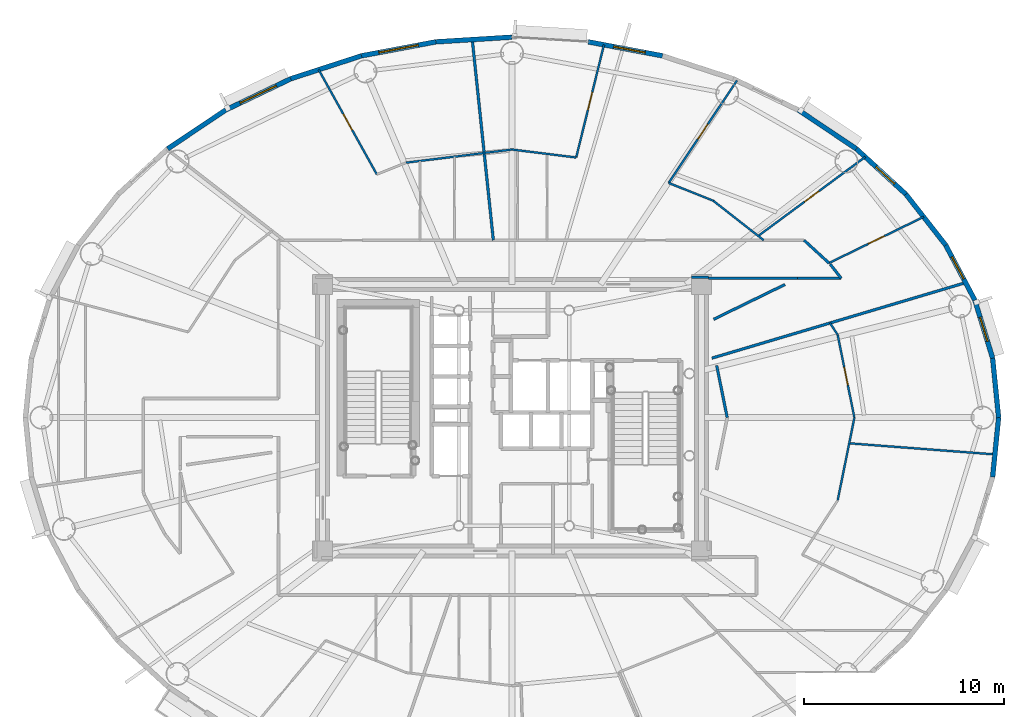
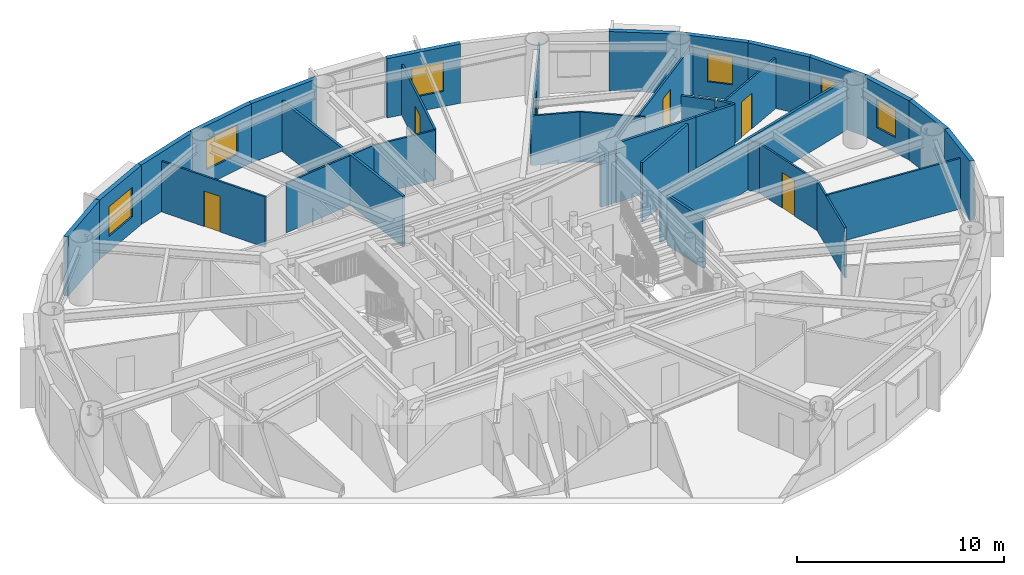
# One storey, part 11 of 19: 35 walls, 6 doors, 6 windows, 12 openings.
"""IFC4 building model written with IfcOpenShell, lengths in metres."""

from ifc_helpers import new_model, si_unit, direction, frame, frame_2d, origin, origin_2d, place, context, subcontext, project, spatial, rectangle, extrude, source, transform, mapped, material, layer, layer_set, type_object, element, fill, save


model = new_model("IFC4")

# Units and contexts
model_context = context("Model", 3, precision=1e-05, world=origin(), true_north=direction((0.0, 1.0)))
body_context = subcontext(model_context, "Body", "Model", "MODEL_VIEW")
ifc_project = project(units=[si_unit("LENGTHUNIT", "METRE"), si_unit("AREAUNIT", "SQUARE_METRE"), si_unit("VOLUMEUNIT", "CUBIC_METRE"), si_unit("PLANEANGLEUNIT", "RADIAN"), si_unit("MASSUNIT", "GRAM", prefix="KILO")], contexts=[model_context])

# Site, building, storey
site_placement = place(None, origin())
site = spatial("IfcSite", under=ifc_project, at=site_placement, CompositionType="ELEMENT")
building_placement = place(site_placement, origin())
building = spatial("IfcBuilding", under=site, at=building_placement, Name="Linh Dai School and Residence Tower", CompositionType="ELEMENT")
storey_placement = place(building_placement, frame((0.0, 0.0, 236.550048828125)))
storey = spatial("IfcBuildingStorey", under=building, at=storey_placement, Name="L58", CompositionType="ELEMENT", Elevation=236.550048828125)

# Wall
ifc_material_1 = material(Name="Precast Concrete B45 (C35/45)", Category="concrete")
ifc_layer_1 = layer(ifc_material_1, 0.239990234375)
ifc_layer_set_1 = layer_set([ifc_layer_1], Name="Precast Concrete B45 (C35/45)")
wall_type_1 = type_object("IfcWallType", Name="EW-TC-240", PredefinedType="SOLIDWALL", material=ifc_layer_set_1)
wall_1_placement = place(storey_placement, frame((59.97705078125, 29.9638671875, 0.0), z_axis=(0.0, 0.0, 1.0), x_axis=(0.099990595253, -0.994988382274, 0.0)))
element("IfcWall", 1, at=wall_1_placement, inside=storey, type_object=wall_type_1, Name="L58 Terracotta Exterior Wall 01", PredefinedType="SOLIDWALL", context=body_context, shape_type="SweptSolid", body=[
    extrude(rectangle(XDim=2.978759765625, YDim=0.239990234375, at=frame_2d((1.4892578125, 0.0))), origin(), (0.0, 0.0, 1.0), 3.5),
])

# Wall, opening, window
wall_2_placement = place(storey_placement, frame((59.09033203125, 32.85595703125, 0.0), z_axis=(0.0, 0.0, 1.0), x_axis=(0.293132907334, -0.95607170162, 0.0)))
wall_2 = element("IfcWall", 2, at=wall_2_placement, inside=storey, type_object=wall_type_1, Name="L58 Terracotta Exterior Wall 02", PredefinedType="SOLIDWALL", context=body_context, shape_type="SweptSolid", body=[
    extrude(rectangle(XDim=3.02490234375, YDim=0.239990234375, at=frame_2d((1.512451171875, 0.0))), origin(), (0.0, 0.0, 1.0), 3.5),
])
opening_1_placement = place(wall_2_placement, frame((0.887451171875, 0.0, 0.89990234375)))
opening_1 = element("IfcOpeningElement", 3, at=opening_1_placement, cuts=wall_2, Name="Opening W3", PredefinedType="OPENING", context=body_context, shape_type="SweptSolid", body=[
    extrude(rectangle(XDim=1.25, YDim=1.64990234375, at=origin_2d()), frame((0.625, 0.1298828125, 0.824951171875), z_axis=(0.0, -1.0, 0.0), x_axis=(1.0, 0.0, 0.0)), (0.0, 0.0, 1.0), 0.260009765625),
])
ifc_material_2 = material(Name="Double Low-E Insulated Glazing", Category="glass")
window_type_1 = type_object("IfcWindowType", Name="WN-RES-1250x1650", PartitioningType="SINGLE_PANEL", PredefinedType="WINDOW", material=ifc_material_2)
shared_shape_1 = source(origin(), body_context, "Body", "SweptSolid", [
    extrude(rectangle(XDim=1.25, YDim=1.64990234375, at=origin_2d()), frame((0.625, 0.030029296875, 0.824951171875), z_axis=(0.0, -1.0, 0.0), x_axis=(1.0, 0.0, 0.0)), (0.0, 0.0, 1.0), 0.06005859375),
])
window_1_placement = place(opening_1_placement, origin())
window_1 = element("IfcWindow", 4, at=window_1_placement, inside=storey, type_object=window_type_1, Name="L58 Dwelling Window U5805-BD2", OverallHeight=1.64990234375, OverallWidth=1.25, PartitioningType="SINGLE_PANEL", PredefinedType="WINDOW", context=body_context, shape_type="MappedRepresentation", body=[
    mapped(shared_shape_1, transform((0.0, 0.0, 0.0), x_axis=(1.0, 0.0, 0.0), y_axis=(0.0, 1.0, 0.0), z_axis=(0.0, 0.0, 1.0), scale=1.0)),
])
fill(opening_1, window_1)

wall_3_placement = place(storey_placement, frame((57.6357421875, 35.605224609375, 0.0), z_axis=(0.0, 0.0, 1.0), x_axis=(0.46766049993, -0.883908172157, 0.0)))
wall_3 = element("IfcWall", 5, at=wall_3_placement, inside=storey, type_object=wall_type_1, Name="L58 Terracotta Exterior Wall 03", PredefinedType="SOLIDWALL", context=body_context, shape_type="SweptSolid", body=[
    extrude(rectangle(XDim=3.1103515625, YDim=0.239990234375, at=frame_2d((1.55517578125, 0.0))), origin(), (0.0, 0.0, 1.0), 3.5),
])
opening_2_placement = place(wall_3_placement, frame((0.663818359375, 0.0, 0.89990234375)))
opening_2 = element("IfcOpeningElement", 6, at=opening_2_placement, cuts=wall_3, Name="Opening W3", PredefinedType="OPENING", context=body_context, shape_type="SweptSolid", body=[
    extrude(rectangle(XDim=1.25, YDim=1.64990234375, at=origin_2d()), frame((0.625, 0.1298828125, 0.824951171875), z_axis=(0.0, -1.0, 0.0), x_axis=(1.0, 0.0, 0.0)), (0.0, 0.0, 1.0), 0.260009765625),
])
window_2_placement = place(opening_2_placement, origin())
window_2 = element("IfcWindow", 7, at=window_2_placement, inside=storey, type_object=window_type_1, Name="L58 Dwelling Window U5806-BD1", OverallHeight=1.64990234375, OverallWidth=1.25, PartitioningType="SINGLE_PANEL", PredefinedType="WINDOW", context=body_context, shape_type="MappedRepresentation", body=[
    mapped(shared_shape_1, transform((0.0, 0.0, 0.0), x_axis=(1.0, 0.0, 0.0), y_axis=(0.0, 1.0, 0.0), z_axis=(0.0, 0.0, 1.0), scale=1.0)),
])
fill(opening_2, window_2)

# Wall
wall_4_placement = place(storey_placement, frame((55.6484375, 38.14453125, 0.0), z_axis=(0.0, 0.0, 1.0), x_axis=(0.616312344705, -0.787501805562, 0.0)))
element("IfcWall", 8, at=wall_4_placement, inside=storey, type_object=wall_type_1, Name="L58 Terracotta Exterior Wall 04", PredefinedType="SOLIDWALL", context=body_context, shape_type="SweptSolid", body=[
    extrude(rectangle(XDim=3.224609375, YDim=0.239990234375, at=frame_2d((1.6123046875, 0.0))), origin(), (0.0, 0.0, 1.0), 3.5),
])

# Wall, opening, window
wall_5_placement = place(storey_placement, frame((53.17626953125, 40.410888671875, 0.0), z_axis=(0.0, 0.0, 1.0), x_axis=(0.737123922599, -0.675757591694, 0.0)))
wall_5 = element("IfcWall", 9, at=wall_5_placement, inside=storey, type_object=wall_type_1, Name="L58 Terracotta Exterior Wall 05", PredefinedType="SOLIDWALL", context=body_context, shape_type="SweptSolid", body=[
    extrude(rectangle(XDim=3.353759765625, YDim=0.239990234375, at=frame_2d((1.6767578125, 0.0))), origin(), (0.0, 0.0, 1.0), 3.5),
])
opening_3_placement = place(wall_5_placement, frame((1.3359375, 0.0, 0.89990234375)))
opening_3 = element("IfcOpeningElement", 10, at=opening_3_placement, cuts=wall_5, Name="Opening W3", PredefinedType="OPENING", context=body_context, shape_type="SweptSolid", body=[
    extrude(rectangle(XDim=1.25, YDim=1.64990234375, at=origin_2d()), frame((0.625, 0.1298828125, 0.824951171875), z_axis=(0.0, -1.0, 0.0), x_axis=(1.0, 0.0, 0.0)), (0.0, 0.0, 1.0), 0.260009765625),
])
window_3_placement = place(opening_3_placement, origin())
window_3 = element("IfcWindow", 11, at=window_3_placement, inside=storey, type_object=window_type_1, Name="L58 Exterior Window 05.1", OverallHeight=1.64990234375, OverallWidth=1.25, PartitioningType="SINGLE_PANEL", PredefinedType="WINDOW", context=body_context, shape_type="MappedRepresentation", body=[
    mapped(shared_shape_1, transform((0.0, 0.0, 0.0), x_axis=(1.0, 0.0, 0.0), y_axis=(0.0, 1.0, 0.0), z_axis=(0.0, 0.0, 1.0), scale=1.0)),
])
fill(opening_3, window_3)

# Wall
wall_6_placement = place(storey_placement, frame((50.280029296875, 42.34765625, 0.0), z_axis=(0.0, 0.0, 1.0), x_axis=(0.831262496074, -0.555880079352, 0.0)))
element("IfcWall", 12, at=wall_6_placement, inside=storey, type_object=wall_type_1, Name="L58 Terracotta Exterior Wall 06", PredefinedType="SOLIDWALL", context=body_context, shape_type="SweptSolid", body=[
    extrude(rectangle(XDim=3.484130859375, YDim=0.239990234375, at=frame_2d((1.7421875, 0.0))), origin(), (0.0, 0.0, 1.0), 3.5),
])

# Wall, opening, window
wall_7_placement = place(storey_placement, frame((39.801513671875, 45.745849609375, 0.0), z_axis=(0.0, 0.0, 1.0), x_axis=(0.982784898575, -0.184753465822, 0.0)))
wall_7 = element("IfcWall", 13, at=wall_7_placement, inside=storey, type_object=wall_type_1, Name="L58 Terracotta Exterior Wall 09", PredefinedType="SOLIDWALL", context=body_context, shape_type="SweptSolid", body=[
    extrude(rectangle(XDim=3.772705078125, YDim=0.239990234375, at=frame_2d((1.88623046875, 0.0))), origin(), (0.0, 0.0, 1.0), 3.5),
])
opening_4_placement = place(wall_7_placement, frame((1.288818359375, 0.0, 0.89990234375)))
opening_4 = element("IfcOpeningElement", 14, at=opening_4_placement, cuts=wall_7, Name="Opening W2", PredefinedType="OPENING", context=body_context, shape_type="SweptSolid", body=[
    extrude(rectangle(XDim=1.60009765625, YDim=1.75, at=origin_2d()), frame((0.800048828125, 0.1298828125, 0.875), z_axis=(0.0, -1.0, 0.0), x_axis=(1.0, 0.0, 0.0)), (0.0, 0.0, 1.0), 0.260009765625),
])
window_type_2 = type_object("IfcWindowType", Name="WN-RES-1600x1750", PartitioningType="DOUBLE_PANEL_VERTICAL", PredefinedType="WINDOW", material=ifc_material_2)
shared_shape_2 = source(origin(), body_context, "Body", "SweptSolid", [
    extrude(rectangle(XDim=1.60009765625, YDim=1.75, at=origin_2d()), frame((0.800048828125, 0.030029296875, 0.875), z_axis=(0.0, -1.0, 0.0), x_axis=(1.0, 0.0, 0.0)), (0.0, 0.0, 1.0), 0.06005859375),
])
window_4_placement = place(opening_4_placement, origin())
window_4 = element("IfcWindow", 15, at=window_4_placement, inside=storey, type_object=window_type_2, Name="L58 Exterior Window 09.1", OverallHeight=1.75, OverallWidth=1.60009765625, PartitioningType="DOUBLE_PANEL_VERTICAL", PredefinedType="WINDOW", context=body_context, shape_type="MappedRepresentation", body=[
    mapped(shared_shape_2, transform((0.0, 0.0, 0.0), x_axis=(1.0, 0.0, 0.0), y_axis=(0.0, 1.0, 0.0), z_axis=(0.0, 0.0, 1.0), scale=1.0)),
])
fill(opening_4, window_4)

# Wall
wall_8_placement = place(storey_placement, frame((32.198486328125, 45.745849609375, 0.0), z_axis=(0.0, 0.0, 1.0), x_axis=(0.998108785312, 0.06147237333, 0.0)))
element("IfcWall", 16, at=wall_8_placement, inside=storey, type_object=wall_type_1, Name="L58 Terracotta Exterior Wall 11", PredefinedType="SOLIDWALL", context=body_context, shape_type="SweptSolid", body=[
    extrude(rectangle(XDim=3.808837890625, YDim=0.239990234375, at=frame_2d((1.904296875, 0.0))), origin(), (0.0, 0.0, 1.0), 3.5),
])

# Wall, opening, window
wall_9_placement = place(storey_placement, frame((28.49072265625, 45.048828125, 0.0), z_axis=(0.0, 0.0, 1.0), x_axis=(0.982784898575, 0.184753465822, 0.0)))
wall_9 = element("IfcWall", 17, at=wall_9_placement, inside=storey, type_object=wall_type_1, Name="L58 Terracotta Exterior Wall 12", PredefinedType="SOLIDWALL", context=body_context, shape_type="SweptSolid", body=[
    extrude(rectangle(XDim=3.772705078125, YDim=0.239990234375, at=frame_2d((1.88623046875, 0.0))), origin(), (0.0, 0.0, 1.0), 3.5),
])
opening_5_placement = place(wall_9_placement, frame((0.88623046875, 0.0, 0.89990234375)))
opening_5 = element("IfcOpeningElement", 18, at=opening_5_placement, cuts=wall_9, Name="Opening W1", PredefinedType="OPENING", context=body_context, shape_type="SweptSolid", body=[
    extrude(rectangle(XDim=2.0, YDim=1.75, at=origin_2d()), frame((1.0, 0.1298828125, 0.875), z_axis=(0.0, -1.0, 0.0), x_axis=(1.0, 0.0, 0.0)), (0.0, 0.0, 1.0), 0.260009765625),
])
window_type_3 = type_object("IfcWindowType", Name="WN-RES-2000x1750", PartitioningType="DOUBLE_PANEL_VERTICAL", PredefinedType="WINDOW", material=ifc_material_2)
shared_shape_3 = source(origin(), body_context, "Body", "SweptSolid", [
    extrude(rectangle(XDim=2.0, YDim=1.75, at=origin_2d()), frame((1.0, 0.030029296875, 0.875), z_axis=(0.0, -1.0, 0.0), x_axis=(1.0, 0.0, 0.0)), (0.0, 0.0, 1.0), 0.06005859375),
])
window_5_placement = place(opening_5_placement, origin())
window_5 = element("IfcWindow", 19, at=window_5_placement, inside=storey, type_object=window_type_3, Name="L58 Exterior Window 12.1", OverallHeight=1.75, OverallWidth=2.0, PartitioningType="DOUBLE_PANEL_VERTICAL", PredefinedType="WINDOW", context=body_context, shape_type="MappedRepresentation", body=[
    mapped(shared_shape_3, transform((0.0, 0.0, 0.0), x_axis=(1.0, 0.0, 0.0), y_axis=(0.0, 1.0, 0.0), z_axis=(0.0, 0.0, 1.0), scale=1.0)),
])
fill(opening_5, window_5)

# Wall
wall_10_placement = place(storey_placement, frame((24.968994140625, 43.906494140625, 0.0), z_axis=(0.0, 0.0, 1.0), x_axis=(0.951210789182, 0.308541787354, 0.0)))
element("IfcWall", 20, at=wall_10_placement, inside=storey, type_object=wall_type_1, Name="L58 Terracotta Exterior Wall 13", PredefinedType="SOLIDWALL", context=body_context, shape_type="SweptSolid", body=[
    extrude(rectangle(XDim=3.702392578125, YDim=0.239990234375, at=frame_2d((1.85107421875, 0.0))), origin(), (0.0, 0.0, 1.0), 3.5),
])

# Wall, opening, window
wall_11_placement = place(storey_placement, frame((21.719970703125, 42.34765625, 0.0), z_axis=(0.0, 0.0, 1.0), x_axis=(0.901598104751, 0.432574684313, 0.0)))
wall_11 = element("IfcWall", 21, at=wall_11_placement, inside=storey, type_object=wall_type_1, Name="L58 Terracotta Exterior Wall 14", PredefinedType="SOLIDWALL", context=body_context, shape_type="SweptSolid", body=[
    extrude(rectangle(XDim=3.603515625, YDim=0.239990234375, at=frame_2d((1.8017578125, 0.0))), origin(), (0.0, 0.0, 1.0), 3.5),
])
opening_6_placement = place(wall_11_placement, frame((0.802001953125, 0.0, 0.89990234375)))
opening_6 = element("IfcOpeningElement", 22, at=opening_6_placement, cuts=wall_11, Name="Opening W1", PredefinedType="OPENING", context=body_context, shape_type="SweptSolid", body=[
    extrude(rectangle(XDim=2.0, YDim=1.75, at=origin_2d()), frame((1.0, 0.1298828125, 0.875), z_axis=(0.0, -1.0, 0.0), x_axis=(1.0, 0.0, 0.0)), (0.0, 0.0, 1.0), 0.260009765625),
])
window_6_placement = place(opening_6_placement, origin())
window_6 = element("IfcWindow", 23, at=window_6_placement, inside=storey, type_object=window_type_3, Name="L58 Exterior Window 14.1", OverallHeight=1.75, OverallWidth=2.0, PartitioningType="DOUBLE_PANEL_VERTICAL", PredefinedType="WINDOW", context=body_context, shape_type="MappedRepresentation", body=[
    mapped(shared_shape_3, transform((0.0, 0.0, 0.0), x_axis=(1.0, 0.0, 0.0), y_axis=(0.0, 1.0, 0.0), z_axis=(0.0, 0.0, 1.0), scale=1.0)),
])
fill(opening_6, window_6)

# Walls
wall_12_placement = place(storey_placement, frame((18.82373046875, 40.410888671875, 0.0), z_axis=(0.0, 0.0, 1.0), x_axis=(0.831262496074, 0.555880079352, 0.0)))
element("IfcWall", 24, at=wall_12_placement, inside=storey, type_object=wall_type_1, Name="L58 Terracotta Exterior Wall 15", PredefinedType="SOLIDWALL", context=body_context, shape_type="SweptSolid", body=[
    extrude(rectangle(XDim=3.484130859375, YDim=0.239990234375, at=frame_2d((1.7421875, 0.0))), origin(), (0.0, 0.0, 1.0), 3.5),
])
wall_13_placement = place(storey_placement, frame((60.27490234375, 27.0, 0.0), z_axis=(0.0, 0.0, 1.0), x_axis=(-0.099990595253, -0.994988382274, 0.0)))
element("IfcWall", 25, at=wall_13_placement, inside=storey, type_object=wall_type_1, Name="L58 Terracotta Exterior Wall 40", PredefinedType="SOLIDWALL", context=body_context, shape_type="SweptSolid", body=[
    extrude(rectangle(XDim=2.978759765625, YDim=0.239990234375, at=frame_2d((1.4892578125, 0.0))), origin(), (0.0, 0.0, 1.0), 3.5),
])
ifc_material_3 = material(Name="Autoclaved Aerated Concrete Blockwork", Category="masonry")
ifc_layer_2 = layer(ifc_material_3, 0.135009765625)
ifc_layer_set_2 = layer_set([ifc_layer_2], Name="Autoclaved Aerated Concrete Blockwork")
wall_type_2 = type_object("IfcWallType", Name="IW-CORR-135-EI90", PredefinedType="PARTITIONING", material=ifc_layer_set_2)
wall_14_placement = place(storey_placement, frame((34.017333984375, 45.86279296875, 0.0), z_axis=(0.0, 0.0, 1.0), x_axis=(0.104537097471, -0.994520987839, 0.0)))
element("IfcWall", 26, at=wall_14_placement, inside=storey, type_object=wall_type_2, Name="L58 Interior Partition Wall 044", PredefinedType="PARTITIONING", context=body_context, shape_type="SweptSolid", body=[
    extrude(rectangle(XDim=10.068115234375, YDim=0.135009765625, at=frame_2d((5.0341796875, 0.0))), origin(), (0.0, 0.0, 1.0), 2.98486328125),
])
wall_15_placement = place(storey_placement, frame((45.970458984375, 29.966552734375, 0.0), z_axis=(0.0, 0.0, 1.0), x_axis=(0.958474934199, 0.285176788174, 0.0)))
element("IfcWall", 27, at=wall_15_placement, inside=storey, type_object=wall_type_2, Name="L58 Interior Partition Wall 083", PredefinedType="PARTITIONING", context=body_context, shape_type="SweptSolid", body=[
    extrude(rectangle(XDim=13.209716796875, YDim=0.135009765625, at=frame_2d((6.60498046875, 0.0))), origin(), (0.0, 0.0, 1.0), 2.98486328125),
])
wall_16_placement = place(storey_placement, frame((50.25146484375, 33.949951171875, 0.0), z_axis=(0.0, 0.0, 1.0), x_axis=(1.0, 0.0, 0.0)))
element("IfcWall", 28, at=wall_16_placement, inside=storey, type_object=wall_type_2, Name="L58 Interior Partition Wall 091", PredefinedType="PARTITIONING", context=body_context, shape_type="SweptSolid", body=[
    extrude(rectangle(XDim=2.17236328125, YDim=0.135009765625, at=frame_2d((1.086181640625, 0.0))), origin(), (0.0, 0.0, 1.0), 3.5),
])
wall_17_placement = place(storey_placement, frame((50.56787109375, 35.85009765625, 0.0), z_axis=(0.0, 0.0, 1.0), x_axis=(0.737130103714, -0.675750849202, 0.0)))
element("IfcWall", 29, at=wall_17_placement, inside=storey, type_object=wall_type_2, Name="L58 Interior Partition Wall 094", PredefinedType="PARTITIONING", context=body_context, shape_type="SweptSolid", body=[
    extrude(rectangle(XDim=1.6865234375, YDim=0.135009765625, at=frame_2d((0.84326171875, 0.0))), origin(), (0.0, 0.0, 1.0), 3.5),
])
wall_18_placement = place(storey_placement, frame((51.873779296875, 34.65283203125, 0.0), z_axis=(0.0, 0.0, 1.0), x_axis=(0.61628613448, -0.787522317429, 0.0)))
element("IfcWall", 30, at=wall_18_placement, inside=storey, type_object=wall_type_2, Name="L58 Interior Partition Wall 097", PredefinedType="PARTITIONING", context=body_context, shape_type="SweptSolid", body=[
    extrude(rectangle(XDim=0.892578125, YDim=0.135009765625, at=frame_2d((0.4462890625, 0.0))), origin(), (0.0, 0.0, 1.0), 3.5),
])
wall_19_placement = place(storey_placement, frame((50.241455078125, 33.949951171875, 0.0), z_axis=(0.0, 0.0, 1.0), x_axis=(-1.0, 0.0, 0.0)))
element("IfcWall", 31, at=wall_19_placement, inside=storey, type_object=wall_type_2, Name="L58 Interior Partition Wall 108", PredefinedType="PARTITIONING", context=body_context, shape_type="SweptSolid", body=[
    extrude(rectangle(XDim=4.44140625, YDim=0.135009765625, at=frame_2d((2.220703125, 0.0))), origin(), (0.0, 0.0, 1.0), 3.5),
])
wall_20_placement = place(storey_placement, frame((45.7900390625, 34.0, 0.0), z_axis=(0.0, 0.0, 1.0), x_axis=(-1.0, 0.0, 0.0)))
element("IfcWall", 32, at=wall_20_placement, inside=storey, type_object=wall_type_2, Name="L58 Interior Partition Wall 109", PredefinedType="PARTITIONING", context=body_context, shape_type="SweptSolid", body=[
    extrude(rectangle(XDim=0.830078125, YDim=0.135009765625, at=frame_2d((0.4150390625, 0.0))), origin(), (0.0, 0.0, 1.0), 2.93505859375),
])
wall_21_placement = place(storey_placement, frame((46.736083984375, 27.0, 0.0), z_axis=(0.0, 0.0, 1.0), x_axis=(-0.198330009585, 0.980135300506, 0.0)))
element("IfcWall", 33, at=wall_21_placement, inside=storey, type_object=wall_type_2, Name="L58 Interior Partition Wall 120", PredefinedType="PARTITIONING", context=body_context, shape_type="SweptSolid", body=[
    extrude(rectangle(XDim=2.650390625, YDim=0.135009765625, at=frame_2d((1.3251953125, 0.0))), origin(), (0.0, 0.0, 1.0), 2.93505859375),
])
wall_22_placement = place(storey_placement, frame((46.06005859375, 31.906005859375, 0.0), z_axis=(0.0, 0.0, 1.0), x_axis=(0.898819963923, 0.438318003797, 0.0)))
element("IfcWall", 34, at=wall_22_placement, inside=storey, type_object=wall_type_2, Name="L58 Interior Partition Wall 121", PredefinedType="PARTITIONING", context=body_context, shape_type="SweptSolid", body=[
    extrude(rectangle(XDim=3.9619140625, YDim=0.135009765625, at=frame_2d((1.98095703125, 0.0))), origin(), (0.0, 0.0, 1.0), 3.5),
])

# Wall, opening, door
ifc_material_4 = material(Name="Gypsum Plasterboard Acoustic Stud Partition", Category="masonry")
ifc_layer_3 = layer(ifc_material_4, 0.10009765625)
ifc_layer_set_3 = layer_set([ifc_layer_3], Name="Gypsum Plasterboard Acoustic Stud Partition")
wall_type_3 = type_object("IfcWallType", Name="IW-UNIT-100", PredefinedType="PARTITIONING", material=ifc_layer_set_3)
wall_23_placement = place(storey_placement, frame((26.352783203125, 44.360595703125, 0.0), z_axis=(0.0, 0.0, 1.0), x_axis=(0.485760805935, -0.874091779745, 0.0)))
wall_23 = element("IfcWall", 35, at=wall_23_placement, inside=storey, type_object=wall_type_3, Name="L58 Interior Partition Wall 024", PredefinedType="PARTITIONING", context=body_context, shape_type="SweptSolid", body=[
    extrude(rectangle(XDim=5.978759765625, YDim=0.10009765625, at=frame_2d((2.9892578125, 0.0))), origin(), (0.0, 0.0, 1.0), 2.98486328125),
])
opening_7_placement = place(wall_23_placement, frame((2.539306640625, 0.0, 0.0)))
opening_7 = element("IfcOpeningElement", 36, at=opening_7_placement, cuts=wall_23, Name="Opening D05", PredefinedType="OPENING", context=body_context, shape_type="SweptSolid", body=[
    extrude(rectangle(XDim=0.89990234375, YDim=2.10009765625, at=origin_2d()), frame((0.449951171875, 0.06005859375, 1.050048828125), z_axis=(0.0, -1.0, 0.0), x_axis=(1.0, 0.0, 0.0)), (0.0, 0.0, 1.0), 0.1201171875),
])
ifc_material_5 = material(Name="Engineered Timber Internal Door", Category="wood")
door_type = type_object("IfcDoorType", Name="DR-INT-900x2100", OperationType="NOTDEFINED", PredefinedType="DOOR", material=ifc_material_5)
shared_shape_4 = source(origin(), body_context, "Body", "SweptSolid", [
    extrude(rectangle(XDim=0.89990234375, YDim=2.10009765625, at=origin_2d()), frame((0.449951171875, 0.02490234375, 1.050048828125), z_axis=(0.0, -1.0, 0.0), x_axis=(1.0, 0.0, 0.0)), (0.0, 0.0, 1.0), 0.050048828125),
])
door_1_placement = place(opening_7_placement, origin())
door_1 = element("IfcDoor", 37, at=door_1_placement, inside=storey, type_object=door_type, Name="L58 Apartment U5801 Bedroom 1 Door", OperationType="SINGLE_SWING_LEFT", OverallHeight=2.10009765625, OverallWidth=0.89990234375, PredefinedType="DOOR", context=body_context, shape_type="MappedRepresentation", body=[
    mapped(shared_shape_4, transform((0.0, 0.0, 0.0), x_axis=(1.0, 0.0, 0.0), y_axis=(0.0, 1.0, 0.0), z_axis=(0.0, 0.0, 1.0), scale=1.0)),
])
fill(opening_7, door_1)

# Walls
wall_24_placement = place(storey_placement, frame((30.721923828125, 39.718994140625, 0.0), z_axis=(0.0, 0.0, 1.0), x_axis=(0.992397473883, 0.123074180196, 0.0)))
element("IfcWall", 38, at=wall_24_placement, inside=storey, type_object=wall_type_3, Name="L58 Interior Partition Wall 031", PredefinedType="PARTITIONING", context=body_context, shape_type="SweptSolid", body=[
    extrude(rectangle(XDim=5.318359375, YDim=0.10009765625, at=frame_2d((2.6591796875, 0.0))), origin(), (0.0, 0.0, 1.0), 2.93505859375),
])
wall_25_placement = place(storey_placement, frame((36.0, 40.37353515625, 0.0), z_axis=(0.0, 0.0, 1.0), x_axis=(0.992398501838, -0.123065891091, 0.0)))
element("IfcWall", 39, at=wall_25_placement, inside=storey, type_object=wall_type_3, Name="L58 Interior Partition Wall 060", PredefinedType="PARTITIONING", context=body_context, shape_type="SweptSolid", body=[
    extrude(rectangle(XDim=3.2255859375, YDim=0.10009765625, at=frame_2d((1.61279296875, 0.0))), origin(), (0.0, 0.0, 1.0), 2.93505859375),
])

# Wall, opening, door
wall_26_placement = place(storey_placement, frame((39.201171875, 39.9765625, 0.0), z_axis=(0.0, 0.0, 1.0), x_axis=(0.239510975824, 0.970893656617, 0.0)))
wall_26 = element("IfcWall", 40, at=wall_26_placement, inside=storey, type_object=wall_type_3, Name="L58 Interior Partition Wall 069", PredefinedType="PARTITIONING", context=body_context, shape_type="SweptSolid", body=[
    extrude(rectangle(XDim=5.794921875, YDim=0.10009765625, at=frame_2d((2.8974609375, 0.0))), origin(), (0.0, 0.0, 1.0), 2.98486328125),
])
opening_8_placement = place(wall_26_placement, frame((2.447509765625, 0.0, 0.0)))
opening_8 = element("IfcOpeningElement", 41, at=opening_8_placement, cuts=wall_26, Name="Opening D05", PredefinedType="OPENING", context=body_context, shape_type="SweptSolid", body=[
    extrude(rectangle(XDim=0.89990234375, YDim=2.10009765625, at=origin_2d()), frame((0.449951171875, 0.06005859375, 1.050048828125), z_axis=(0.0, -1.0, 0.0), x_axis=(1.0, 0.0, 0.0)), (0.0, 0.0, 1.0), 0.1201171875),
])
door_2_placement = place(opening_8_placement, origin())
door_2 = element("IfcDoor", 42, at=door_2_placement, inside=storey, type_object=door_type, Name="L58 Apartment U5806 Bedroom 3 Door", OperationType="SINGLE_SWING_LEFT", OverallHeight=2.10009765625, OverallWidth=0.89990234375, PredefinedType="DOOR", context=body_context, shape_type="MappedRepresentation", body=[
    mapped(shared_shape_4, transform((0.0, 0.0, 0.0), x_axis=(1.0, 0.0, 0.0), y_axis=(0.0, 1.0, 0.0), z_axis=(0.0, 0.0, 1.0), scale=1.0)),
])
fill(opening_8, door_2)

# Wall
wall_27_placement = place(storey_placement, frame((43.8125, 38.707763671875, 0.0), z_axis=(0.0, 0.0, 1.0), x_axis=(0.928806399166, -0.370565342239, 0.0)))
element("IfcWall", 43, at=wall_27_placement, inside=storey, type_object=wall_type_3, Name="L58 Interior Partition Wall 078", PredefinedType="PARTITIONING", context=body_context, shape_type="SweptSolid", body=[
    extrude(rectangle(XDim=2.3974609375, YDim=0.10009765625, at=frame_2d((1.19873046875, 0.0))), origin(), (0.0, 0.0, 1.0), 2.93505859375),
])

# Wall, opening, door
wall_28_placement = place(storey_placement, frame((43.8125, 38.707763671875, 0.0), z_axis=(0.0, 0.0, 1.0), x_axis=(0.555094340213, 0.831787396793, 0.0)))
wall_28 = element("IfcWall", 44, at=wall_28_placement, inside=storey, type_object=wall_type_3, Name="L58 Interior Partition Wall 079", PredefinedType="PARTITIONING", context=body_context, shape_type="SweptSolid", body=[
    extrude(rectangle(XDim=6.1455078125, YDim=0.10009765625, at=frame_2d((3.07275390625, 0.0))), origin(), (0.0, 0.0, 1.0), 2.93505859375),
])
opening_9_placement = place(wall_28_placement, frame((2.622802734375, 0.0, 0.0)))
opening_9 = element("IfcOpeningElement", 45, at=opening_9_placement, cuts=wall_28, Name="Opening D05", PredefinedType="OPENING", context=body_context, shape_type="SweptSolid", body=[
    extrude(rectangle(XDim=0.89990234375, YDim=2.10009765625, at=origin_2d()), frame((0.449951171875, 0.06005859375, 1.050048828125), z_axis=(0.0, -1.0, 0.0), x_axis=(1.0, 0.0, 0.0)), (0.0, 0.0, 1.0), 0.1201171875),
])
door_3_placement = place(opening_9_placement, origin())
door_3 = element("IfcDoor", 46, at=door_3_placement, inside=storey, type_object=door_type, Name="L58 Apartment U5806 Principal Bedroom 2 Door", OperationType="SINGLE_SWING_RIGHT", OverallHeight=2.10009765625, OverallWidth=0.89990234375, PredefinedType="DOOR", context=body_context, shape_type="MappedRepresentation", body=[
    mapped(shared_shape_4, transform((0.0, 0.0, 0.0), x_axis=(1.0, 0.0, 0.0), y_axis=(0.0, 1.0, 0.0), z_axis=(0.0, 0.0, 1.0), scale=1.0)),
])
fill(opening_9, door_3)

# Wall
wall_29_placement = place(storey_placement, frame((46.039306640625, 37.8193359375, 0.0), z_axis=(0.0, 0.0, 1.0), x_axis=(0.787364681479, -0.616487516791, 0.0)))
element("IfcWall", 47, at=wall_29_placement, inside=storey, type_object=wall_type_3, Name="L58 Interior Partition Wall 085", PredefinedType="PARTITIONING", context=body_context, shape_type="SweptSolid", body=[
    extrude(rectangle(XDim=3.194580078125, YDim=0.10009765625, at=frame_2d((1.59716796875, 0.0))), origin(), (0.0, 0.0, 1.0), 2.93505859375),
])

# Wall, opening, door
wall_30_placement = place(storey_placement, frame((48.281494140625, 36.063720703125, 0.0), z_axis=(0.0, 0.0, 1.0), x_axis=(0.804612975085, 0.593799596097, 0.0)))
wall_30 = element("IfcWall", 48, at=wall_30_placement, inside=storey, type_object=wall_type_3, Name="L58 Interior Partition Wall 090", PredefinedType="PARTITIONING", context=body_context, shape_type="SweptSolid", body=[
    extrude(rectangle(XDim=6.640380859375, YDim=0.10009765625, at=frame_2d((3.3203125, 0.0))), origin(), (0.0, 0.0, 1.0), 2.98486328125),
])
opening_10_placement = place(wall_30_placement, frame((2.8701171875, 0.0, 0.0)))
opening_10 = element("IfcOpeningElement", 49, at=opening_10_placement, cuts=wall_30, Name="Opening D05", PredefinedType="OPENING", context=body_context, shape_type="SweptSolid", body=[
    extrude(rectangle(XDim=0.89990234375, YDim=2.10009765625, at=origin_2d()), frame((0.449951171875, 0.06005859375, 1.050048828125), z_axis=(0.0, -1.0, 0.0), x_axis=(1.0, 0.0, 0.0)), (0.0, 0.0, 1.0), 0.1201171875),
])
door_4_placement = place(opening_10_placement, origin())
door_4 = element("IfcDoor", 50, at=door_4_placement, inside=storey, type_object=door_type, Name="L58 Apartment U5806 Study Door", OperationType="SINGLE_SWING_LEFT", OverallHeight=2.10009765625, OverallWidth=0.89990234375, PredefinedType="DOOR", context=body_context, shape_type="MappedRepresentation", body=[
    mapped(shared_shape_4, transform((0.0, 0.0, 0.0), x_axis=(1.0, 0.0, 0.0), y_axis=(0.0, 1.0, 0.0), z_axis=(0.0, 0.0, 1.0), scale=1.0)),
])
fill(opening_10, door_4)

wall_31_placement = place(storey_placement, frame((51.81103515625, 34.71044921875, 0.0), z_axis=(0.0, 0.0, 1.0), x_axis=(0.89880279574, 0.438353207322, 0.0)))
wall_31 = element("IfcWall", 51, at=wall_31_placement, inside=storey, type_object=wall_type_3, Name="L58 Interior Partition Wall 095", PredefinedType="PARTITIONING", context=body_context, shape_type="SweptSolid", body=[
    extrude(rectangle(XDim=5.25927734375, YDim=0.10009765625, at=frame_2d((2.629638671875, 0.0))), origin(), (0.0, 0.0, 1.0), 2.98486328125),
])
opening_11_placement = place(wall_31_placement, frame((2.1796875, 0.0, 0.0)))
opening_11 = element("IfcOpeningElement", 52, at=opening_11_placement, cuts=wall_31, Name="Opening D05", PredefinedType="OPENING", context=body_context, shape_type="SweptSolid", body=[
    extrude(rectangle(XDim=0.89990234375, YDim=2.10009765625, at=origin_2d()), frame((0.449951171875, 0.06005859375, 1.050048828125), z_axis=(0.0, -1.0, 0.0), x_axis=(1.0, 0.0, 0.0)), (0.0, 0.0, 1.0), 0.1201171875),
])
door_5_placement = place(opening_11_placement, origin())
door_5 = element("IfcDoor", 53, at=door_5_placement, inside=storey, type_object=door_type, Name="L58 Apartment U5806 Principal Bedroom 1 Door", OperationType="SINGLE_SWING_LEFT", OverallHeight=2.10009765625, OverallWidth=0.89990234375, PredefinedType="DOOR", context=body_context, shape_type="MappedRepresentation", body=[
    mapped(shared_shape_4, transform((0.0, 0.0, 0.0), x_axis=(1.0, 0.0, 0.0), y_axis=(0.0, 1.0, 0.0), z_axis=(0.0, 0.0, 1.0), scale=1.0)),
])
fill(opening_11, door_5)

# Walls
wall_32_placement = place(storey_placement, frame((51.862060546875, 31.719482421875, 0.0), z_axis=(0.0, 0.0, 1.0), x_axis=(0.545576382868, -0.838061101863, 0.0)))
element("IfcWall", 54, at=wall_32_placement, inside=storey, type_object=wall_type_3, Name="L58 Interior Partition Wall 096", PredefinedType="PARTITIONING", context=body_context, shape_type="SweptSolid", body=[
    extrude(rectangle(XDim=0.700439453125, YDim=0.10009765625, at=frame_2d((0.35009765625, 0.0))), origin(), (0.0, 0.0, 1.0), 2.93505859375),
])
wall_33_placement = place(storey_placement, frame((52.244140625, 22.867431640625, 0.0), z_axis=(0.0, 0.0, 1.0), x_axis=(0.198276062883, 0.980146215056, 0.0)))
element("IfcWall", 55, at=wall_33_placement, inside=storey, type_object=wall_type_3, Name="L58 Interior Partition Wall 098", PredefinedType="PARTITIONING", context=body_context, shape_type="SweptSolid", body=[
    extrude(rectangle(XDim=4.216064453125, YDim=0.10009765625, at=frame_2d((2.10791015625, 0.0))), origin(), (0.0, 0.0, 1.0), 2.93505859375),
])

# Wall, opening, door
wall_34_placement = place(storey_placement, frame((52.244140625, 31.132568359375, 0.0), z_axis=(0.0, 0.0, 1.0), x_axis=(0.198264809747, -0.980148491411, 0.0)))
wall_34 = element("IfcWall", 56, at=wall_34_placement, inside=storey, type_object=wall_type_3, Name="L58 Interior Partition Wall 099", PredefinedType="PARTITIONING", context=body_context, shape_type="SweptSolid", body=[
    extrude(rectangle(XDim=4.21630859375, YDim=0.10009765625, at=frame_2d((2.108154296875, 0.0))), origin(), (0.0, 0.0, 1.0), 2.93505859375),
])
opening_12_placement = place(wall_34_placement, frame((1.658203125, 0.0, 0.0)))
opening_12 = element("IfcOpeningElement", 57, at=opening_12_placement, cuts=wall_34, Name="Opening D05", PredefinedType="OPENING", context=body_context, shape_type="SweptSolid", body=[
    extrude(rectangle(XDim=0.89990234375, YDim=2.10009765625, at=origin_2d()), frame((0.449951171875, 0.06005859375, 1.050048828125), z_axis=(0.0, -1.0, 0.0), x_axis=(1.0, 0.0, 0.0)), (0.0, 0.0, 1.0), 0.1201171875),
])
door_6_placement = place(opening_12_placement, origin())
door_6 = element("IfcDoor", 58, at=door_6_placement, inside=storey, type_object=door_type, Name="L58 Apartment U5805 Principal Bedroom 2 Door", OperationType="SINGLE_SWING_RIGHT", OverallHeight=2.10009765625, OverallWidth=0.89990234375, PredefinedType="DOOR", context=body_context, shape_type="MappedRepresentation", body=[
    mapped(shared_shape_4, transform((0.0, 0.0, 0.0), x_axis=(1.0, 0.0, 0.0), y_axis=(0.0, 1.0, 0.0), z_axis=(0.0, 0.0, 1.0), scale=1.0)),
])
fill(opening_12, door_6)

# Wall
wall_35_placement = place(storey_placement, frame((52.82080078125, 25.71875, 0.0), z_axis=(0.0, 0.0, 1.0), x_axis=(0.997110709209, -0.075962053559, 0.0)))
element("IfcWall", 59, at=wall_35_placement, inside=storey, type_object=wall_type_3, Name="L58 Interior Partition Wall 100", PredefinedType="PARTITIONING", context=body_context, shape_type="SweptSolid", body=[
    extrude(rectangle(XDim=7.295654296875, YDim=0.10009765625, at=frame_2d((3.64794921875, 0.0))), origin(), (0.0, 0.0, 1.0), 2.98486328125),
])

save(model, "model.ifc")
